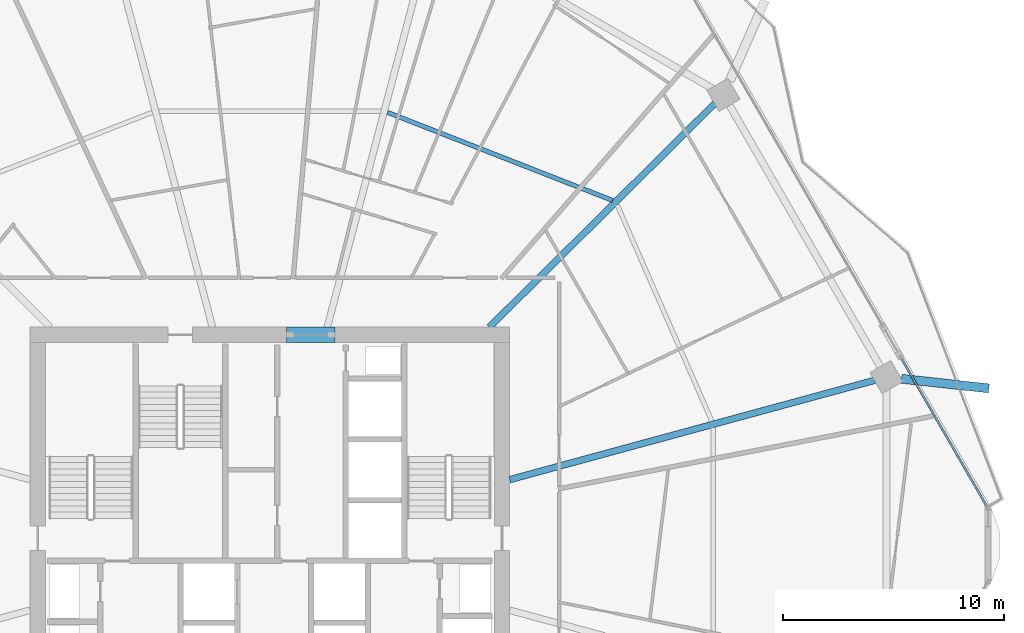
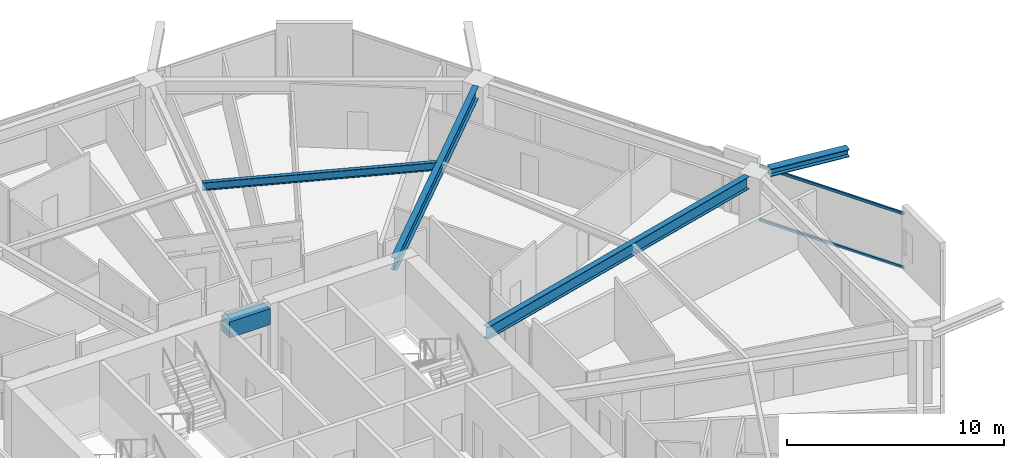
# One storey, part 15 of 29: 5 beams, 2 members, 1 element without a shape of its own.
"""IFC4 building model written with IfcOpenShell, lengths in metres."""

from ifc_helpers import new_model, si_unit, direction, frame, origin, origin_2d, place, context, subcontext, project, spatial, rectangle, hollow_rectangle, i_section, extrude, material, material_profile, profile_set, type_object, element, aggregate, save


model = new_model("IFC4")

# Units and contexts
model_context = context("Model", 3, precision=1e-05, world=origin(), true_north=direction((0.0, 1.0)))
body_context = subcontext(model_context, "Body", "Model", "MODEL_VIEW")
ifc_project = project(units=[si_unit("LENGTHUNIT", "METRE"), si_unit("AREAUNIT", "SQUARE_METRE"), si_unit("VOLUMEUNIT", "CUBIC_METRE"), si_unit("PLANEANGLEUNIT", "RADIAN"), si_unit("MASSUNIT", "GRAM", prefix="KILO")], contexts=[model_context])

# Site, building, storey
site_placement = place(None, origin())
site = spatial("IfcSite", under=ifc_project, at=site_placement, CompositionType="ELEMENT")
building_placement = place(site_placement, origin())
building = spatial("IfcBuilding", under=site, at=building_placement, Name="Zuhravey Tower", CompositionType="ELEMENT")
storey_placement = place(building_placement, frame((0.0, 0.0, 134.199951171875)))
storey = spatial("IfcBuildingStorey", under=building, at=storey_placement, Name="L33", CompositionType="ELEMENT", Elevation=134.199951171875)

# Beam
ifc_material_1 = material(Name="Concrete C60/75", Category="concrete")
ifc_material_profile_1 = material_profile(ifc_material_1, rectangle(XDim=0.699951171875, YDim=0.89990234375, at=origin_2d()), Name="RC-700x900")
ifc_profile_set_1 = profile_set([ifc_material_profile_1], Name="Concrete C60/75")
beam_type_1 = type_object("IfcBeamType", Name="Core Coupling Beam RC700x900", PredefinedType="LINTEL", material=ifc_profile_set_1)
beam_1_placement = place(storey_placement, frame((36.751953125, 41.5, 3.10009765625), z_axis=(1.0, 0.0, 0.0), x_axis=(0.0, 1.0, 0.0)))
element("IfcBeam", 1, at=beam_1_placement, inside=storey, type_object=beam_type_1, Name="L33 CB1 BM-L33-CB-N", PredefinedType="LINTEL", context=body_context, shape_type="SweptSolid", body=[
    extrude(rectangle(XDim=0.699951171875, YDim=0.89990234375, at=origin_2d()), origin(), (0.0, 0.0, 1.0), 2.196044921875),
])

# Curtain wall, members
ifc_material_2 = material(Name="Thermally broken anodised aluminium", Category="aluminium")
curtain_wall_type = type_object("IfcCurtainWallType", Name="Zone 1-2 Residential Curtain Wall CW3", PredefinedType="NOTDEFINED", material=ifc_material_2)
curtain_wall_placement = place(storey_placement, origin())
curtain_wall = element("IfcCurtainWall", 2, at=curtain_wall_placement, inside=storey, type_object=curtain_wall_type, Name="L33 CW3 CW-L33-F1-2", PredefinedType="NOTDEFINED")
ifc_material_3 = material(Name="Anodised aluminium", Category="aluminium")
ifc_material_profile_2 = material_profile(ifc_material_3, hollow_rectangle(XDim=0.090087890625, YDim=0.14990234375, WallThickness=0.0048828125, at=origin_2d()), Name="ALU-RHS-90x150x5")
ifc_profile_set_2 = profile_set([ifc_material_profile_2], Name="Anodised aluminium")
member_type = type_object("IfcMemberType", Name="Curtain-Wall Transom 90x150", PredefinedType="USERDEFINED", material=ifc_profile_set_2)
member_1_placement = place(storey_placement, frame((64.585693359375, 40.40478515625, 0.045166015625), z_axis=(0.500025452398, -0.866010708337, 0.0), x_axis=(0.866010708337, 0.500025452398, 0.0)))
member_1 = element("IfcMember", 3, at=member_1_placement, type_object=member_type, Name="CW3 transom 1.1", ObjectType="TRANSOM", PredefinedType="USERDEFINED", context=body_context, shape_type="SweptSolid", body=[
    extrude(hollow_rectangle(XDim=0.090087890625, YDim=0.14990234375, WallThickness=0.0048828125, at=origin_2d()), origin(), (0.0, 0.0, 1.0), 7.6953125),
])
member_2_placement = place(storey_placement, frame((64.585693359375, 40.40478515625, 3.0771484375), z_axis=(0.500025452398, -0.866010708337, 0.0), x_axis=(0.866010708337, 0.500025452398, 0.0)))
member_2 = element("IfcMember", 4, at=member_2_placement, type_object=member_type, Name="CW3 transom 1.2", ObjectType="TRANSOM", PredefinedType="USERDEFINED", context=body_context, shape_type="SweptSolid", body=[
    extrude(hollow_rectangle(XDim=0.090087890625, YDim=0.14990234375, WallThickness=0.0048828125, at=origin_2d()), origin(), (0.0, 0.0, 1.0), 7.6953125),
])
aggregate(curtain_wall, [member_1, member_2])

# Beams
ifc_material_4 = material(Name="Steel SM460", Category="steel")
ifc_material_profile_3 = material_profile(ifc_material_4, i_section(OverallWidth=0.406982421875, OverallDepth=0.427978515625, WebThickness=0.02001953125, FlangeThickness=0.034912109375, at=origin_2d()), Name="H-428x407x20x35")
ifc_profile_set_3 = profile_set([ifc_material_profile_3], Name="Steel SM460")
beam_type_2 = type_object("IfcBeamType", Name="Exoskeleton Node Tie Beam H428x407", PredefinedType="BEAM", material=ifc_profile_set_3)
beam_2_placement = place(storey_placement, frame((64.5712890625, 39.5166015625, 3.3359375), z_axis=(0.994005957907, -0.109325914797, 0.0), x_axis=(0.109325914797, 0.994005957907, 0.0)))
element("IfcBeam", 5, at=beam_2_placement, inside=storey, type_object=beam_type_2, Name="L33 Exoskeleton Node Tie NT1-01", PredefinedType="BEAM", context=body_context, shape_type="SweptSolid", body=[
    extrude(i_section(OverallWidth=0.406982421875, OverallDepth=0.427978515625, WebThickness=0.02001953125, FlangeThickness=0.034912109375, at=origin_2d()), origin(), (0.0, 0.0, 1.0), 3.97509765625),
])
ifc_material_5 = material(Name="Steel SM355", Category="steel")
ifc_material_profile_4 = material_profile(ifc_material_5, i_section(OverallWidth=0.300048828125, OverallDepth=0.699951171875, WebThickness=0.012939453125, FlangeThickness=0.02392578125, at=origin_2d()), Name="H-700x300x13x24")
ifc_profile_set_4 = profile_set([ifc_material_profile_4], Name="Steel SM355")
beam_type_3 = type_object("IfcBeamType", Name="Radial Primary Girder H700x300", PredefinedType="BEAM", material=ifc_profile_set_4)
beam_3_placement = place(storey_placement, frame((46.85302734375, 34.954345703125, 3.199951171875), z_axis=(0.964893166225, 0.262642680791, 0.0), x_axis=(-0.262642680791, 0.964893166225, 0.0)))
element("IfcBeam", 6, at=beam_3_placement, inside=storey, type_object=beam_type_3, Name="L33 RG1 BM-L33-RAD-01", PredefinedType="BEAM", context=body_context, shape_type="SweptSolid", body=[
    extrude(i_section(OverallWidth=0.300048828125, OverallDepth=0.699951171875, WebThickness=0.012939453125, FlangeThickness=0.02392578125, at=origin_2d()), origin(), (0.0, 0.0, 1.0), 17.102783203125),
])
beam_4_placement = place(storey_placement, frame((45.931396484375, 41.85302734375, 3.199951171875), z_axis=(0.709906230344, 0.704296204816, 0.0), x_axis=(-0.704296204816, 0.709906230344, 0.0)))
element("IfcBeam", 7, at=beam_4_placement, inside=storey, type_object=beam_type_3, Name="L33 RG1 BM-L33-RAD-02", PredefinedType="BEAM", context=body_context, shape_type="SweptSolid", body=[
    extrude(i_section(OverallWidth=0.300048828125, OverallDepth=0.699951171875, WebThickness=0.012939453125, FlangeThickness=0.02392578125, at=origin_2d()), origin(), (0.0, 0.0, 1.0), 14.361083984375),
])
ifc_material_profile_5 = material_profile(ifc_material_5, i_section(OverallWidth=0.199951171875, OverallDepth=0.449951171875, WebThickness=0.009033203125, FlangeThickness=0.013916015625, at=origin_2d()), Name="H-450x200x9x14")
ifc_profile_set_5 = profile_set([ifc_material_profile_5], Name="Steel SM355")
beam_type_4 = type_object("IfcBeamType", Name="Secondary Floor Joist H450x200", PredefinedType="JOIST", material=ifc_profile_set_5)
beam_5_placement = place(storey_placement, frame((51.50537109375, 47.581298828125, 3.324951171875), z_axis=(-0.931216764731, 0.364465824302, 0.0), x_axis=(-0.364465824302, -0.931216764731, 0.0)))
element("IfcBeam", 8, at=beam_5_placement, inside=storey, type_object=beam_type_4, Name="L33 SJ1 BM-L33-SJ-02-1", PredefinedType="JOIST", context=body_context, shape_type="SweptSolid", body=[
    extrude(i_section(OverallWidth=0.199951171875, OverallDepth=0.449951171875, WebThickness=0.009033203125, FlangeThickness=0.013916015625, at=origin_2d()), origin(), (0.0, 0.0, 1.0), 10.939453125),
])

save(model, "model.ifc")
